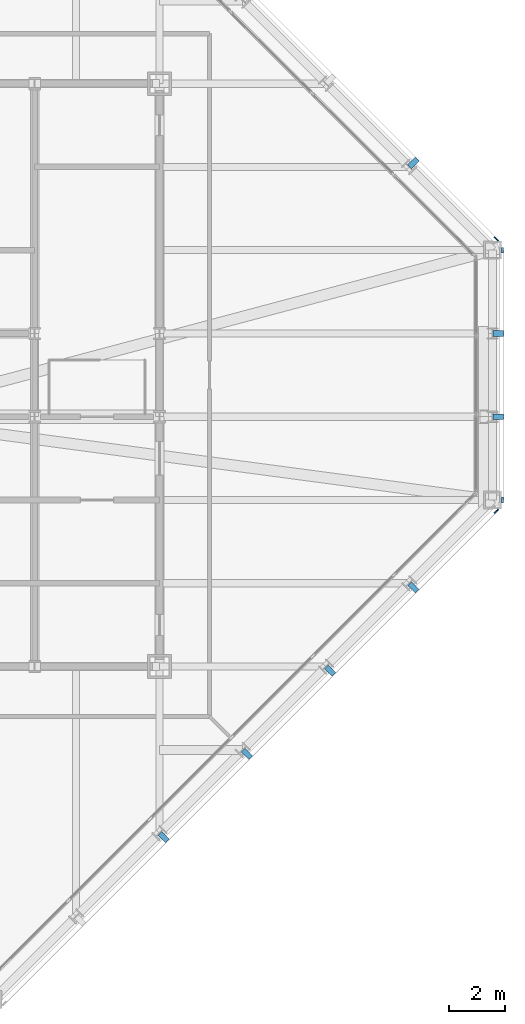
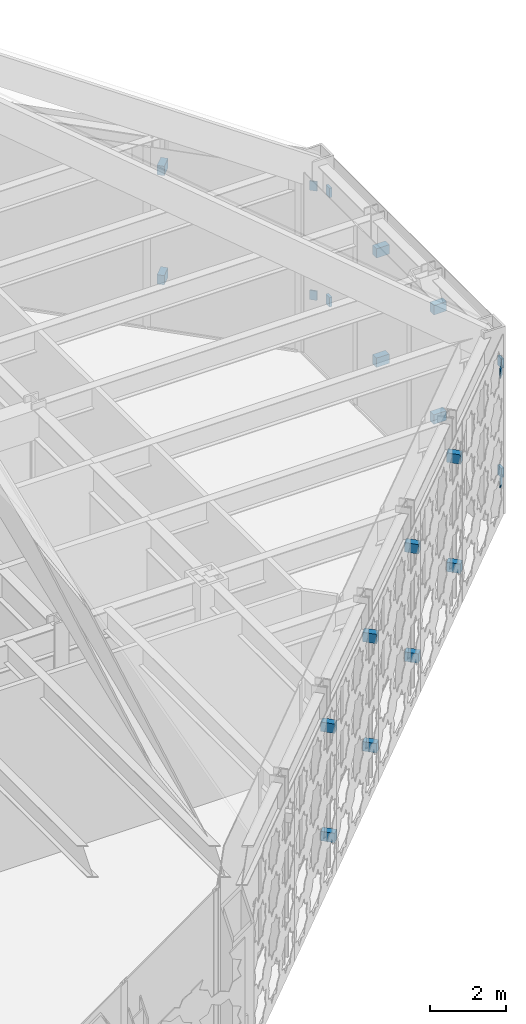
# One storey, part 18 of 30: 22 discrete accessories.
"""IFC4 building model written with IfcOpenShell, lengths in metres."""

from ifc_helpers import new_model, si_unit, direction, frame, origin, origin_2d, place, context, subcontext, project, spatial, rectangle, extrude, material, type_object, element, save


model = new_model("IFC4")

# Units and contexts
model_context = context("Model", 3, precision=1e-05, world=origin(), true_north=direction((0.0, 1.0)))
body_context = subcontext(model_context, "Body", "Model", "MODEL_VIEW")
ifc_project = project(units=[si_unit("LENGTHUNIT", "METRE"), si_unit("AREAUNIT", "SQUARE_METRE"), si_unit("VOLUMEUNIT", "CUBIC_METRE"), si_unit("PLANEANGLEUNIT", "RADIAN"), si_unit("MASSUNIT", "GRAM", prefix="KILO")], contexts=[model_context])

# Site, building, storey
site_placement = place(None, origin())
site = spatial("IfcSite", under=ifc_project, at=site_placement, CompositionType="ELEMENT")
building_placement = place(site_placement, origin())
building = spatial("IfcBuilding", under=site, at=building_placement, Name="Chuquiago Exchange Tower", CompositionType="ELEMENT")
storey_placement = place(building_placement, frame((0.0, 0.0, 306.0)))
storey = spatial("IfcBuildingStorey", under=building, at=storey_placement, Name="L68", CompositionType="ELEMENT", Elevation=306.0)

# Discrete accessories
ifc_material_1 = material(Name="Stainless steel plate bracket", Category="steel")
discrete_accessory_type_1 = type_object("IfcDiscreteAccessoryType", Name="GB1 cladding bracket 388", PredefinedType="BRACKET", material=ifc_material_1)
for number, where, z_axis, x_axis, name in (
    (1, (45.206298828125, 21.0, 1.0048828125), (0.0, 0.0, 1.0), (0.0, 1.0, 0.0), "Cladding bracket L68 E"),
    (2, (45.206298828125, 21.0, 4.5), (0.0, 0.0, 1.0), (0.0, 1.0, 0.0), "Cladding bracket L68 E"),
    (3, (45.206298828125, 24.0, 1.0048828125), (0.0, 0.0, 1.0), (0.0, 1.0, 0.0), "Cladding bracket L68 E"),
    (4, (45.206298828125, 24.0, 4.5), (0.0, 0.0, 1.0), (0.0, 1.0, 0.0), "Cladding bracket L68 E"),
):
    element("IfcDiscreteAccessory", number, at=place(storey_placement, frame(where, z_axis=z_axis, x_axis=x_axis)), inside=storey, type_object=discrete_accessory_type_1, Name=name, PredefinedType="BRACKET", context=body_context, shape_type="SweptSolid", body=[
        extrude(rectangle(XDim=0.199951171875, YDim=0.3876953125, at=origin_2d()), origin(), (0.0, 0.0, 1.0), 0.300048828125),
    ])
ifc_material_2 = material(Name="Stainless steel plate bracket", Category="steel")
discrete_accessory_type_2 = type_object("IfcDiscreteAccessoryType", Name="GB2 cladding bracket 386", PredefinedType="BRACKET", material=ifc_material_2)
for number, where, z_axis, x_axis, name in (
    (5, (33.146240234375, 5.853759765625, 1.0048828125), (0.0, 0.0, 1.0), (0.707106781187, 0.707106781187, 0.0), "Cladding bracket L68 SE"),
    (6, (33.146240234375, 5.853759765625, 4.5), (0.0, 0.0, 1.0), (0.707106781187, 0.707106781187, 0.0), "Cladding bracket L68 SE"),
    (7, (36.146240234375, 8.853759765625, 1.0048828125), (0.0, 0.0, 1.0), (0.707106781187, 0.707106781187, 0.0), "Cladding bracket L68 SE"),
    (8, (36.146240234375, 8.853759765625, 4.5), (0.0, 0.0, 1.0), (0.707106781187, 0.707106781187, 0.0), "Cladding bracket L68 SE"),
    (9, (39.146240234375, 11.853759765625, 1.0048828125), (0.0, 0.0, 1.0), (0.707106781187, 0.707106781187, 0.0), "Cladding bracket L68 SE"),
    (10, (39.146240234375, 11.853759765625, 4.5), (0.0, 0.0, 1.0), (0.707106781187, 0.707106781187, 0.0), "Cladding bracket L68 SE"),
    (11, (42.146240234375, 14.853759765625, 1.0048828125), (0.0, 0.0, 1.0), (0.707106781187, 0.707106781187, 0.0), "Cladding bracket L68 SE"),
    (12, (42.146240234375, 14.853759765625, 4.5), (0.0, 0.0, 1.0), (0.707106781187, 0.707106781187, 0.0), "Cladding bracket L68 SE"),
    (13, (42.146240234375, 30.146240234375, 1.0048828125), (0.0, 0.0, 1.0), (-0.707106781187, 0.707106781187, 0.0), "Cladding bracket L68 NE"),
    (14, (42.146240234375, 30.146240234375, 4.5), (0.0, 0.0, 1.0), (-0.707106781187, 0.707106781187, 0.0), "Cladding bracket L68 NE"),
):
    element("IfcDiscreteAccessory", number, at=place(storey_placement, frame(where, z_axis=z_axis, x_axis=x_axis)), inside=storey, type_object=discrete_accessory_type_2, Name=name, PredefinedType="BRACKET", context=body_context, shape_type="SweptSolid", body=[
        extrude(rectangle(XDim=0.199951171875, YDim=0.386474609375, at=origin_2d()), origin(), (0.0, 0.0, 1.0), 0.300048828125),
    ])
ifc_material_3 = material(Name="Stainless steel plate bracket", Category="steel")
discrete_accessory_type_3 = type_object("IfcDiscreteAccessoryType", Name="GB4 cladding bracket 75", PredefinedType="BRACKET", material=ifc_material_3)
for number, where, z_axis, x_axis, name in (
    (15, (45.362548828125, 18.0, 1.0048828125), (0.0, 0.0, 1.0), (0.0, 1.0, 0.0), "Cladding bracket L68 E"),
    (16, (45.362548828125, 18.0, 4.5), (0.0, 0.0, 1.0), (0.0, 1.0, 0.0), "Cladding bracket L68 E"),
    (17, (45.362548828125, 27.0, 1.0048828125), (0.0, 0.0, 1.0), (0.0, 1.0, 0.0), "Cladding bracket L68 E"),
    (18, (45.362548828125, 27.0, 4.5), (0.0, 0.0, 1.0), (0.0, 1.0, 0.0), "Cladding bracket L68 E"),
):
    element("IfcDiscreteAccessory", number, at=place(storey_placement, frame(where, z_axis=z_axis, x_axis=x_axis)), inside=storey, type_object=discrete_accessory_type_3, Name=name, PredefinedType="BRACKET", context=body_context, shape_type="SweptSolid", body=[
        extrude(rectangle(XDim=0.199951171875, YDim=0.074951171875, at=origin_2d()), origin(), (0.0, 0.0, 1.0), 0.300048828125),
    ])
ifc_material_4 = material(Name="Stainless steel plate bracket", Category="steel")
discrete_accessory_type_4 = type_object("IfcDiscreteAccessoryType", Name="GB6 cladding bracket 35", PredefinedType="BRACKET", material=ifc_material_4)
for number, where, z_axis, x_axis, name in (
    (19, (45.132568359375, 17.591796875, 1.0048828125), (0.0, 0.0, 1.0), (0.707106781187, 0.707106781187, 0.0), "Cladding bracket L68 SE"),
    (20, (45.132568359375, 17.591796875, 4.5), (0.0, 0.0, 1.0), (0.707106781187, 0.707106781187, 0.0), "Cladding bracket L68 SE"),
    (21, (45.13232421875, 27.408203125, 1.0048828125), (0.0, 0.0, 1.0), (-0.707106781187, 0.707106781187, 0.0), "Cladding bracket L68 NE"),
    (22, (45.13232421875, 27.408203125, 4.5), (0.0, 0.0, 1.0), (-0.707106781187, 0.707106781187, 0.0), "Cladding bracket L68 NE"),
):
    element("IfcDiscreteAccessory", number, at=place(storey_placement, frame(where, z_axis=z_axis, x_axis=x_axis)), inside=storey, type_object=discrete_accessory_type_4, Name=name, PredefinedType="BRACKET", context=body_context, shape_type="SweptSolid", body=[
        extrude(rectangle(XDim=0.199951171875, YDim=0.035400390625, at=origin_2d()), origin(), (0.0, 0.0, 1.0), 0.300048828125),
    ])

save(model, "model.ifc")
